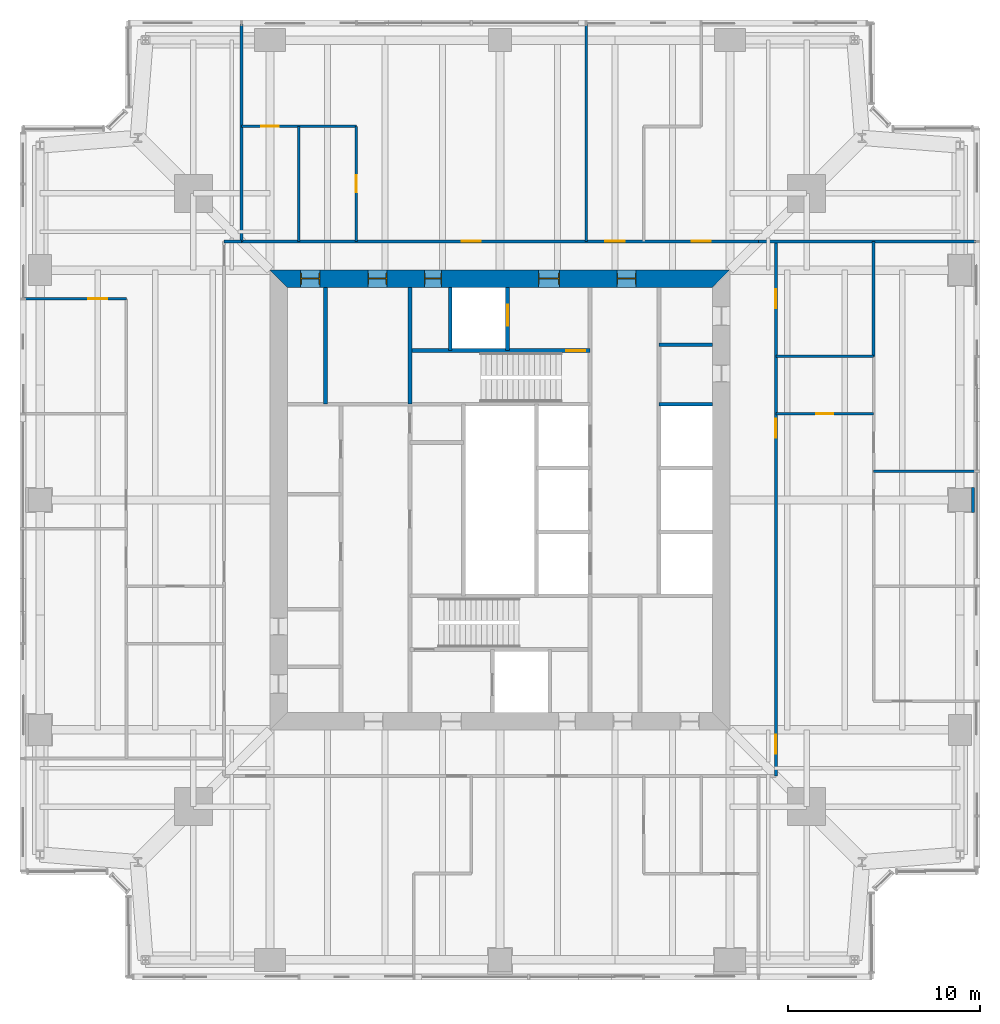
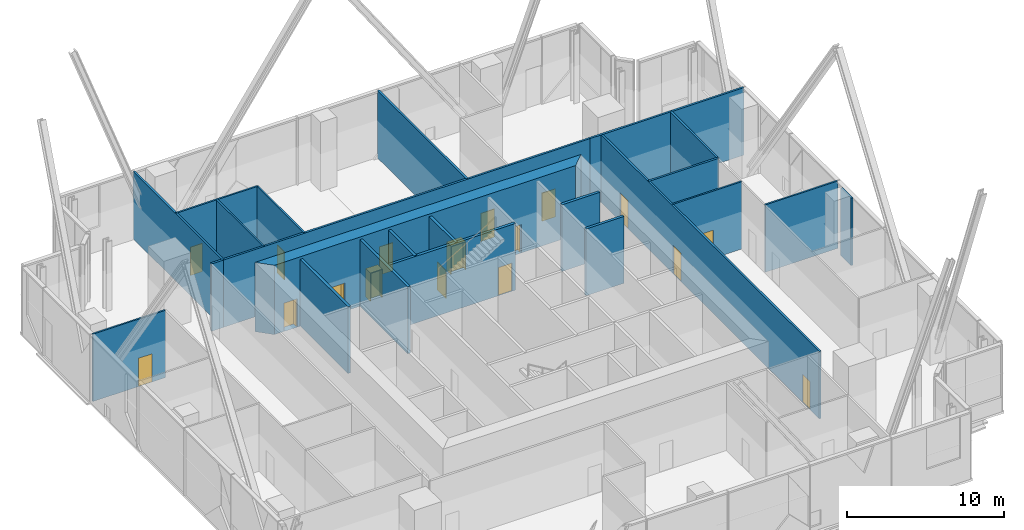
# One storey, part 11 of 14: 23 walls, 17 doors, 17 openings.
"""IFC4 building model written with IfcOpenShell, lengths in metres."""

from ifc_helpers import new_model, si_unit, direction, frame, frame_2d, origin, place, context, subcontext, project, spatial, polyline, rectangle, outline, extrude, material, layer, layer_set, type_object, element, fill, save


model = new_model("IFC4")

# Units and contexts
model_context = context("Model", 3, precision=1e-05, world=origin(), true_north=direction((0.0, 1.0)))
body_context = subcontext(model_context, "Body", "Model", "MODEL_VIEW")
ifc_project = project(units=[si_unit("LENGTHUNIT", "METRE"), si_unit("AREAUNIT", "SQUARE_METRE"), si_unit("VOLUMEUNIT", "CUBIC_METRE"), si_unit("PLANEANGLEUNIT", "RADIAN"), si_unit("MASSUNIT", "GRAM", prefix="KILO")], contexts=[model_context])

# Site, building, storey
site_placement = place(None, origin())
site = spatial("IfcSite", under=ifc_project, at=site_placement, CompositionType="ELEMENT")
building_placement = place(site_placement, origin())
building = spatial("IfcBuilding", under=site, at=building_placement, Name="Fenwick Lantern Interchange", CompositionType="ELEMENT")
storey_placement = place(building_placement, frame((0.0, 0.0, 168.39990234375)))
storey = spatial("IfcBuildingStorey", under=building, at=storey_placement, Name="L39", CompositionType="ELEMENT", Elevation=168.39990234375)

# Walls
ifc_material_1 = material(Name="Fire-rated gypsum board encasement on steel studs, 2 hour", Category="steel")
ifc_layer_1 = layer(ifc_material_1, 1.300048828125)
ifc_layer_set_1 = layer_set([ifc_layer_1], Name="COLUMN PIER 1300")
wall_type_1 = type_object("IfcWallType", Name="COLUMN PIER 1300", PredefinedType="PARTITIONING", material=ifc_layer_set_1)
wall_1_placement = place(storey_placement, frame((49.75, 25.0, 0.0), z_axis=(0.0, 0.0, 1.0), x_axis=(-1.0, 0.0, 0.0)))
element("IfcWall", 1, at=wall_1_placement, inside=storey, type_object=wall_type_1, Name="L39/W/PIER/CE3", PredefinedType="PARTITIONING", context=body_context, shape_type="SweptSolid", body=[
    extrude(rectangle(XDim=0.14990234375, YDim=1.300048828125, at=frame_2d((0.074951171875, 0.0))), origin(), (0.0, 0.0, 1.0), 5.25),
])
ifc_material_2 = material(Name="Concrete masonry ASTM C90 Grade N", Category="masonry")
ifc_layer_2 = layer(ifc_material_2, 0.199951171875)
ifc_layer_set_2 = layer_set([ifc_layer_2], Name="Concrete masonry ASTM C90 Grade N")
wall_type_2 = type_object("IfcWallType", Name="CORE PARTITION 200", PredefinedType="PARTITIONING", material=ifc_layer_set_2)
wall_2_placement = place(storey_placement, frame((36.10009765625, 30.0, 0.0), z_axis=(0.0, 0.0, 1.0), x_axis=(-1.0, 0.0, 0.0)))
element("IfcWall", 2, at=wall_2_placement, inside=storey, type_object=wall_type_2, Name="L39/W/COREN/c2", PredefinedType="PARTITIONING", context=body_context, shape_type="SweptSolid", body=[
    extrude(rectangle(XDim=2.800048828125, YDim=0.199951171875, at=frame_2d((1.39990234375, 0.0))), origin(), (0.0, 0.0, 1.0), 5.2001953125),
])

# Wall, opening, door
wall_3_placement = place(storey_placement, frame((25.39990234375, 36.10009765625, 0.0), z_axis=(0.0, 0.0, 1.0), x_axis=(0.0, -1.0, 0.0)))
wall_3 = element("IfcWall", 3, at=wall_3_placement, inside=storey, type_object=wall_type_2, Name="L39/W/COREN/h1", PredefinedType="PARTITIONING", context=body_context, shape_type="SweptSolid", body=[
    extrude(rectangle(XDim=3.300048828125, YDim=0.199951171875, at=frame_2d((1.64990234375, 0.0))), origin(), (0.0, 0.0, 1.0), 5.2001953125),
])
opening_1_placement = place(wall_3_placement, frame((0.89990234375, 0.0, 0.0)))
opening_1 = element("IfcOpeningElement", 4, at=opening_1_placement, cuts=wall_3, Name="Opening LD-FL2", PredefinedType="OPENING", context=body_context, shape_type="SweptSolid", body=[
    extrude(rectangle(XDim=1.10009765625, YDim=2.199951171875, at=frame_2d((0.550048828125, 1.10009765625))), frame((0.0, 0.10986328125, 0.0), z_axis=(0.0, -1.0, 0.0), x_axis=(1.0, 0.0, 0.0)), (0.0, 0.0, 1.0), 0.219970703125),
])
ifc_material_3 = material(Name="Steel door and frame", Category="steel")
door_type_1 = type_object("IfcDoorType", Name="LIFT LANDING DOOR 1100 X 2200", OperationType="DOUBLE_DOOR_SLIDING", PredefinedType="DOOR", material=ifc_material_3)
door_1_placement = place(opening_1_placement, origin())
door_1 = element("IfcDoor", 5, at=door_1_placement, inside=storey, type_object=door_type_1, Name="Lift landing door FL2", OperationType="DOUBLE_DOOR_SLIDING", OverallHeight=2.199951171875, OverallWidth=1.10009765625, PredefinedType="DOOR", context=body_context, shape_type="SweptSolid", body=[
    extrude(rectangle(XDim=1.10009765625, YDim=2.199951171875, at=frame_2d((0.550048828125, 1.10009765625))), frame((0.0, 0.02490234375, 0.0), z_axis=(0.0, -1.0, 0.0), x_axis=(1.0, 0.0, 0.0)), (0.0, 0.0, 1.0), 0.050048828125),
])
fill(opening_1, door_1)

# Walls
wall_4_placement = place(storey_placement, frame((22.39990234375, 36.10009765625, 0.0), z_axis=(0.0, 0.0, 1.0), x_axis=(0.0, -1.0, 0.0)))
element("IfcWall", 6, at=wall_4_placement, inside=storey, type_object=wall_type_2, Name="L39/W/COREN/h2", PredefinedType="PARTITIONING", context=body_context, shape_type="SweptSolid", body=[
    extrude(rectangle(XDim=3.300048828125, YDim=0.199951171875, at=frame_2d((1.64990234375, 0.0))), origin(), (0.0, 0.0, 1.0), 5.2001953125),
])
wall_5_placement = place(storey_placement, frame((15.89990234375, 36.10009765625, 0.0), z_axis=(0.0, 0.0, 1.0), x_axis=(0.0, -1.0, 0.0)))
element("IfcWall", 7, at=wall_5_placement, inside=storey, type_object=wall_type_2, Name="L39/W/COREN/i2", PredefinedType="PARTITIONING", context=body_context, shape_type="SweptSolid", body=[
    extrude(rectangle(XDim=6.10009765625, YDim=0.199951171875, at=frame_2d((3.050048828125, 0.0))), origin(), (0.0, 0.0, 1.0), 5.2001953125),
])
wall_6_placement = place(storey_placement, frame((36.10009765625, 33.10009765625, 0.0), z_axis=(0.0, 0.0, 1.0), x_axis=(-1.0, 0.0, 0.0)))
element("IfcWall", 8, at=wall_6_placement, inside=storey, type_object=wall_type_2, Name="L39/W/COREN/p1", PredefinedType="PARTITIONING", context=body_context, shape_type="SweptSolid", body=[
    extrude(rectangle(XDim=2.800048828125, YDim=0.199951171875, at=frame_2d((1.39990234375, 0.0))), origin(), (0.0, 0.0, 1.0), 5.2001953125),
])

# Wall, openings, doors
ifc_material_4 = material(Name="Concrete f'c 70 MPa", Category="concrete")
ifc_layer_3 = layer(ifc_material_4, 0.89990234375)
ifc_layer_set_3 = layer_set([ifc_layer_3], Name="CORE WALL 900")
wall_type_3 = type_object("IfcWallType", Name="CORE WALL 900", PredefinedType="SHEAR", material=ifc_layer_set_3)
wall_7_placement = place(storey_placement, frame((37.0, 36.550048828125, 0.0), z_axis=(0.0, 0.0, 1.0), x_axis=(-1.0, 0.0, 0.0)))
wall_7 = element("IfcWall", 9, at=wall_7_placement, inside=storey, type_object=wall_type_3, Name="L39/CORE/N", PredefinedType="SHEAR", context=body_context, shape_type="SweptSolid", body=[
    extrude(outline(polyline([(0.0, -0.449951171875), (24.0, -0.449951171875), (23.10009765625, 0.449951171875), (0.89990234375, 0.449951171875), (0.0, -0.449951171875)])), origin(), (0.0, 0.0, 1.0), 5.400146484375),
])
opening_2_placement = place(wall_7_placement, frame((4.89990234375, 0.0, 0.0)))
opening_2 = element("IfcOpeningElement", 10, at=opening_2_placement, cuts=wall_7, Name="Opening L39-D013", PredefinedType="OPENING", context=body_context, shape_type="SweptSolid", body=[
    extrude(rectangle(XDim=1.0, YDim=2.199951171875, at=frame_2d((0.5, 1.10009765625))), frame((0.0, 0.4599609375, 0.0), z_axis=(0.0, -1.0, 0.0), x_axis=(1.0, 0.0, 0.0)), (0.0, 0.0, 1.0), 0.919921875),
])
opening_3_placement = place(wall_7_placement, frame((8.89990234375, 0.0, 0.0)))
opening_3 = element("IfcOpeningElement", 11, at=opening_3_placement, cuts=wall_7, Name="Opening L39-D014", PredefinedType="OPENING", context=body_context, shape_type="SweptSolid", body=[
    extrude(rectangle(XDim=1.10009765625, YDim=2.199951171875, at=frame_2d((0.550048828125, 1.10009765625))), frame((0.0, 0.4599609375, 0.0), z_axis=(0.0, -1.0, 0.0), x_axis=(1.0, 0.0, 0.0)), (0.0, 0.0, 1.0), 0.919921875),
])
opening_4_placement = place(wall_7_placement, frame((15.050048828125, 0.0, 0.0)))
opening_4 = element("IfcOpeningElement", 12, at=opening_4_placement, cuts=wall_7, Name="Opening L39-D016", PredefinedType="OPENING", context=body_context, shape_type="SweptSolid", body=[
    extrude(rectangle(XDim=0.89990234375, YDim=2.199951171875, at=frame_2d((0.449951171875, 1.10009765625))), frame((0.0, 0.4599609375, 0.0), z_axis=(0.0, -1.0, 0.0), x_axis=(1.0, 0.0, 0.0)), (0.0, 0.0, 1.0), 0.919921875),
])
opening_5_placement = place(wall_7_placement, frame((17.89990234375, 0.0, 0.0)))
opening_5 = element("IfcOpeningElement", 13, at=opening_5_placement, cuts=wall_7, Name="Opening L39-D017", PredefinedType="OPENING", context=body_context, shape_type="SweptSolid", body=[
    extrude(rectangle(XDim=1.0, YDim=2.199951171875, at=frame_2d((0.5, 1.10009765625))), frame((0.0, 0.4599609375, 0.0), z_axis=(0.0, -1.0, 0.0), x_axis=(1.0, 0.0, 0.0)), (0.0, 0.0, 1.0), 0.919921875),
])
opening_6_placement = place(wall_7_placement, frame((21.39990234375, 0.0, 0.0)))
opening_6 = element("IfcOpeningElement", 14, at=opening_6_placement, cuts=wall_7, Name="Opening L39-D018", PredefinedType="OPENING", context=body_context, shape_type="SweptSolid", body=[
    extrude(rectangle(XDim=1.0, YDim=2.199951171875, at=frame_2d((0.5, 1.10009765625))), frame((0.0, 0.4599609375, 0.0), z_axis=(0.0, -1.0, 0.0), x_axis=(1.0, 0.0, 0.0)), (0.0, 0.0, 1.0), 0.919921875),
])
door_type_2 = type_object("IfcDoorType", Name="CORE LOBBY DOOR 1000 X 2200", OperationType="SINGLE_SWING_LEFT", PredefinedType="DOOR", material=ifc_material_3)
door_2_placement = place(opening_2_placement, origin())
door_2 = element("IfcDoor", 15, at=door_2_placement, inside=storey, type_object=door_type_2, Name="Core lobby door", OperationType="SINGLE_SWING_LEFT", OverallHeight=2.199951171875, OverallWidth=1.0, PredefinedType="DOOR", context=body_context, shape_type="SweptSolid", body=[
    extrude(rectangle(XDim=1.0, YDim=2.199951171875, at=frame_2d((0.5, 1.10009765625))), frame((0.0, 0.02490234375, 0.0), z_axis=(0.0, -1.0, 0.0), x_axis=(1.0, 0.0, 0.0)), (0.0, 0.0, 1.0), 0.050048828125),
    extrude(outline(polyline([(0.0, 0.0), (0.0400390625, 0.0), (0.0400390625, 2.159912109375), (0.9599609375, 2.159912109375), (0.9599609375, 0.0), (1.0, 0.0), (1.0, 2.199951171875), (0.0, 2.199951171875), (0.0, 0.0)])), frame((0.0, 0.300048828125, 0.0), z_axis=(0.0, -1.0, 0.0), x_axis=(1.0, 0.0, 0.0)), (0.0, 0.0, 1.0), 0.60009765625),
])
fill(opening_2, door_2)
door_type_3 = type_object("IfcDoorType", Name="FIRE LOBBY DOOR 1100 X 2200", OperationType="SINGLE_SWING_LEFT", PredefinedType="DOOR", material=ifc_material_3)
door_3_placement = place(opening_3_placement, origin())
door_3 = element("IfcDoor", 16, at=door_3_placement, inside=storey, type_object=door_type_3, Name="Fire lobby door", OperationType="SINGLE_SWING_LEFT", OverallHeight=2.199951171875, OverallWidth=1.10009765625, PredefinedType="DOOR", context=body_context, shape_type="SweptSolid", body=[
    extrude(rectangle(XDim=1.10009765625, YDim=2.199951171875, at=frame_2d((0.550048828125, 1.10009765625))), frame((0.0, 0.02490234375, 0.0), z_axis=(0.0, -1.0, 0.0), x_axis=(1.0, 0.0, 0.0)), (0.0, 0.0, 1.0), 0.050048828125),
    extrude(outline(polyline([(0.0, 0.0), (0.0400390625, 0.0), (0.0400390625, 2.159912109375), (1.06005859375, 2.159912109375), (1.06005859375, 0.0), (1.10009765625, 0.0), (1.10009765625, 2.199951171875), (0.0, 2.199951171875), (0.0, 0.0)])), frame((0.0, 0.300048828125, 0.0), z_axis=(0.0, -1.0, 0.0), x_axis=(1.0, 0.0, 0.0)), (0.0, 0.0, 1.0), 0.60009765625),
])
fill(opening_3, door_3)
door_type_4 = type_object("IfcDoorType", Name="SERVICE DOOR 900 X 2200", OperationType="SINGLE_SWING_LEFT", PredefinedType="DOOR", material=ifc_material_3)
door_4_placement = place(opening_4_placement, origin())
door_4 = element("IfcDoor", 17, at=door_4_placement, inside=storey, type_object=door_type_4, Name="Service door", OperationType="SINGLE_SWING_LEFT", OverallHeight=2.199951171875, OverallWidth=0.89990234375, PredefinedType="DOOR", context=body_context, shape_type="SweptSolid", body=[
    extrude(rectangle(XDim=0.89990234375, YDim=2.199951171875, at=frame_2d((0.449951171875, 1.10009765625))), frame((0.0, 0.02490234375, 0.0), z_axis=(0.0, -1.0, 0.0), x_axis=(1.0, 0.0, 0.0)), (0.0, 0.0, 1.0), 0.050048828125),
    extrude(outline(polyline([(0.0, 0.0), (0.0400390625, 0.0), (0.0400390625, 2.159912109375), (0.85986328125, 2.159912109375), (0.85986328125, 0.0), (0.89990234375, 0.0), (0.89990234375, 2.199951171875), (0.0, 2.199951171875), (0.0, 0.0)])), frame((0.0, 0.300048828125, 0.0), z_axis=(0.0, -1.0, 0.0), x_axis=(1.0, 0.0, 0.0)), (0.0, 0.0, 1.0), 0.60009765625),
])
fill(opening_4, door_4)
ifc_material_5 = material(Name="Hardwood door and steel frame", Category="steel")
door_type_5 = type_object("IfcDoorType", Name="WC DOOR 1000 X 2200", OperationType="SINGLE_SWING_LEFT", PredefinedType="DOOR", material=ifc_material_5)
door_5_placement = place(opening_5_placement, origin())
door_5 = element("IfcDoor", 18, at=door_5_placement, inside=storey, type_object=door_type_5, Name="Wc door", OperationType="SINGLE_SWING_LEFT", OverallHeight=2.199951171875, OverallWidth=1.0, PredefinedType="DOOR", context=body_context, shape_type="SweptSolid", body=[
    extrude(rectangle(XDim=1.0, YDim=2.199951171875, at=frame_2d((0.5, 1.10009765625))), frame((0.0, 0.02490234375, 0.0), z_axis=(0.0, -1.0, 0.0), x_axis=(1.0, 0.0, 0.0)), (0.0, 0.0, 1.0), 0.050048828125),
    extrude(outline(polyline([(0.0, 0.0), (0.0400390625, 0.0), (0.0400390625, 2.159912109375), (0.9599609375, 2.159912109375), (0.9599609375, 0.0), (1.0, 0.0), (1.0, 2.199951171875), (0.0, 2.199951171875), (0.0, 0.0)])), frame((0.0, 0.300048828125, 0.0), z_axis=(0.0, -1.0, 0.0), x_axis=(1.0, 0.0, 0.0)), (0.0, 0.0, 1.0), 0.60009765625),
])
fill(opening_5, door_5)
door_6_placement = place(opening_6_placement, origin())
door_6 = element("IfcDoor", 19, at=door_6_placement, inside=storey, type_object=door_type_5, Name="Wc door", OperationType="SINGLE_SWING_LEFT", OverallHeight=2.199951171875, OverallWidth=1.0, PredefinedType="DOOR", context=body_context, shape_type="SweptSolid", body=[
    extrude(rectangle(XDim=1.0, YDim=2.199951171875, at=frame_2d((0.5, 1.10009765625))), frame((0.0, 0.02490234375, 0.0), z_axis=(0.0, -1.0, 0.0), x_axis=(1.0, 0.0, 0.0)), (0.0, 0.0, 1.0), 0.050048828125),
    extrude(outline(polyline([(0.0, 0.0), (0.0400390625, 0.0), (0.0400390625, 2.159912109375), (0.9599609375, 2.159912109375), (0.9599609375, 0.0), (1.0, 0.0), (1.0, 2.199951171875), (0.0, 2.199951171875), (0.0, 0.0)])), frame((0.0, 0.300048828125, 0.0), z_axis=(0.0, -1.0, 0.0), x_axis=(1.0, 0.0, 0.0)), (0.0, 0.0, 1.0), 0.60009765625),
])
fill(opening_6, door_6)

ifc_material_6 = material(Name="Gypsum board on steel studs, 1 hour", Category="steel")
ifc_layer_4 = layer(ifc_material_6, 0.14990234375)
ifc_layer_set_4 = layer_set([ifc_layer_4], Name="CORRIDOR WALL 150")
wall_type_4 = type_object("IfcWallType", Name="CORRIDOR WALL 150", PredefinedType="PARTITIONING", material=ifc_layer_set_4)
wall_8_placement = place(storey_placement, frame((39.39990234375, 10.60009765625, 0.0), z_axis=(0.0, 0.0, 1.0), x_axis=(0.0, 1.0, 0.0)))
wall_8 = element("IfcWall", 20, at=wall_8_placement, inside=storey, type_object=wall_type_4, Name="L39/W/OFF/E/CW2", PredefinedType="PARTITIONING", context=body_context, shape_type="SweptSolid", body=[
    extrude(rectangle(XDim=27.89990234375, YDim=0.14990234375, at=frame_2d((13.949951171875, 0.0))), origin(), (0.0, 0.0, 1.0), 5.25),
])
opening_7_placement = place(wall_8_placement, frame((1.14990234375, 0.0, 0.0)))
opening_7 = element("IfcOpeningElement", 21, at=opening_7_placement, cuts=wall_8, Name="Opening L39-D026", PredefinedType="OPENING", context=body_context, shape_type="SweptSolid", body=[
    extrude(rectangle(XDim=1.0, YDim=2.199951171875, at=frame_2d((0.5, 1.10009765625))), frame((0.0, 0.0849609375, 0.0), z_axis=(0.0, -1.0, 0.0), x_axis=(1.0, 0.0, 0.0)), (0.0, 0.0, 1.0), 0.169921875),
])
opening_8_placement = place(wall_8_placement, frame((17.64990234375, 0.0, 0.0)))
opening_8 = element("IfcOpeningElement", 22, at=opening_8_placement, cuts=wall_8, Name="Opening L39-D027", PredefinedType="OPENING", context=body_context, shape_type="SweptSolid", body=[
    extrude(rectangle(XDim=1.0, YDim=2.199951171875, at=frame_2d((0.5, 1.10009765625))), frame((0.0, 0.0849609375, 0.0), z_axis=(0.0, -1.0, 0.0), x_axis=(1.0, 0.0, 0.0)), (0.0, 0.0, 1.0), 0.169921875),
])
opening_9_placement = place(wall_8_placement, frame((24.39990234375, 0.0, 0.0)))
opening_9 = element("IfcOpeningElement", 23, at=opening_9_placement, cuts=wall_8, Name="Opening L39-D032", PredefinedType="OPENING", context=body_context, shape_type="SweptSolid", body=[
    extrude(rectangle(XDim=1.0, YDim=2.199951171875, at=frame_2d((0.5, 1.10009765625))), frame((0.0, 0.0849609375, 0.0), z_axis=(0.0, -1.0, 0.0), x_axis=(1.0, 0.0, 0.0)), (0.0, 0.0, 1.0), 0.169921875),
])
door_type_6 = type_object("IfcDoorType", Name="SUITE ENTRANCE DOOR 1000 X 2200", OperationType="SINGLE_SWING_LEFT", PredefinedType="DOOR", material=ifc_material_3)
door_7_placement = place(opening_7_placement, origin())
door_7 = element("IfcDoor", 24, at=door_7_placement, inside=storey, type_object=door_type_6, Name="Suite entrance door", OperationType="SINGLE_SWING_LEFT", OverallHeight=2.199951171875, OverallWidth=1.0, PredefinedType="DOOR", context=body_context, shape_type="SweptSolid", body=[
    extrude(rectangle(XDim=1.0, YDim=2.199951171875, at=frame_2d((0.5, 1.10009765625))), frame((0.0, 0.02490234375, 0.0), z_axis=(0.0, -1.0, 0.0), x_axis=(1.0, 0.0, 0.0)), (0.0, 0.0, 1.0), 0.050048828125),
])
fill(opening_7, door_7)
door_8_placement = place(opening_8_placement, origin())
door_8 = element("IfcDoor", 25, at=door_8_placement, inside=storey, type_object=door_type_6, Name="Suite entrance door", OperationType="SINGLE_SWING_RIGHT", OverallHeight=2.199951171875, OverallWidth=1.0, PredefinedType="DOOR", context=body_context, shape_type="SweptSolid", body=[
    extrude(rectangle(XDim=1.0, YDim=2.199951171875, at=frame_2d((0.5, 1.10009765625))), frame((0.0, 0.02490234375, 0.0), z_axis=(0.0, -1.0, 0.0), x_axis=(1.0, 0.0, 0.0)), (0.0, 0.0, 1.0), 0.050048828125),
])
fill(opening_8, door_8)
door_9_placement = place(opening_9_placement, frame((1.0, 0.0, 0.0), z_axis=(0.0, 0.0, 1.0), x_axis=(-1.0, 0.0, 0.0)))
door_9 = element("IfcDoor", 26, at=door_9_placement, inside=storey, type_object=door_type_6, Name="Suite entrance door", OperationType="SINGLE_SWING_RIGHT", OverallHeight=2.199951171875, OverallWidth=1.0, PredefinedType="DOOR", context=body_context, shape_type="SweptSolid", body=[
    extrude(rectangle(XDim=1.0, YDim=2.199951171875, at=frame_2d((0.5, 1.10009765625))), frame((0.0, 0.02490234375, 0.0), z_axis=(0.0, -1.0, 0.0), x_axis=(1.0, 0.0, 0.0)), (0.0, 0.0, 1.0), 0.050048828125),
])
fill(opening_9, door_9)

wall_9_placement = place(storey_placement, frame((38.5, 38.5, 0.0), z_axis=(0.0, 0.0, 1.0), x_axis=(-1.0, 0.0, 0.0)))
wall_9 = element("IfcWall", 27, at=wall_9_placement, inside=storey, type_object=wall_type_4, Name="L39/W/OFF/N/CW", PredefinedType="PARTITIONING", context=body_context, shape_type="SweptSolid", body=[
    extrude(rectangle(XDim=27.0, YDim=0.14990234375, at=frame_2d((13.5, 0.0))), origin(), (0.0, 0.0, 1.0), 5.25),
])
opening_10_placement = place(wall_9_placement, frame((2.5, 0.0, 0.0)))
opening_10 = element("IfcOpeningElement", 28, at=opening_10_placement, cuts=wall_9, Name="Opening L39-D033", PredefinedType="OPENING", context=body_context, shape_type="SweptSolid", body=[
    extrude(rectangle(XDim=1.0, YDim=2.199951171875, at=frame_2d((0.5, 1.10009765625))), frame((0.0, 0.0849609375, 0.0), z_axis=(0.0, -1.0, 0.0), x_axis=(1.0, 0.0, 0.0)), (0.0, 0.0, 1.0), 0.169921875),
])
opening_11_placement = place(wall_9_placement, frame((7.0, 0.0, 0.0)))
opening_11 = element("IfcOpeningElement", 29, at=opening_11_placement, cuts=wall_9, Name="Opening L39-D034", PredefinedType="OPENING", context=body_context, shape_type="SweptSolid", body=[
    extrude(rectangle(XDim=1.0, YDim=2.199951171875, at=frame_2d((0.5, 1.10009765625))), frame((0.0, 0.0849609375, 0.0), z_axis=(0.0, -1.0, 0.0), x_axis=(1.0, 0.0, 0.0)), (0.0, 0.0, 1.0), 0.169921875),
])
opening_12_placement = place(wall_9_placement, frame((14.5, 0.0, 0.0)))
opening_12 = element("IfcOpeningElement", 30, at=opening_12_placement, cuts=wall_9, Name="Opening L39-D035", PredefinedType="OPENING", context=body_context, shape_type="SweptSolid", body=[
    extrude(rectangle(XDim=1.0, YDim=2.199951171875, at=frame_2d((0.5, 1.10009765625))), frame((0.0, 0.0849609375, 0.0), z_axis=(0.0, -1.0, 0.0), x_axis=(1.0, 0.0, 0.0)), (0.0, 0.0, 1.0), 0.169921875),
])
door_10_placement = place(opening_10_placement, frame((1.0, 0.0, 0.0), z_axis=(0.0, 0.0, 1.0), x_axis=(-1.0, 0.0, 0.0)))
door_10 = element("IfcDoor", 31, at=door_10_placement, inside=storey, type_object=door_type_6, Name="Suite entrance door", OperationType="SINGLE_SWING_LEFT", OverallHeight=2.199951171875, OverallWidth=1.0, PredefinedType="DOOR", context=body_context, shape_type="SweptSolid", body=[
    extrude(rectangle(XDim=1.0, YDim=2.199951171875, at=frame_2d((0.5, 1.10009765625))), frame((0.0, 0.02490234375, 0.0), z_axis=(0.0, -1.0, 0.0), x_axis=(1.0, 0.0, 0.0)), (0.0, 0.0, 1.0), 0.050048828125),
])
fill(opening_10, door_10)
door_11_placement = place(opening_11_placement, frame((1.0, 0.0, 0.0), z_axis=(0.0, 0.0, 1.0), x_axis=(-1.0, 0.0, 0.0)))
door_11 = element("IfcDoor", 32, at=door_11_placement, inside=storey, type_object=door_type_6, Name="Suite entrance door", OperationType="SINGLE_SWING_RIGHT", OverallHeight=2.199951171875, OverallWidth=1.0, PredefinedType="DOOR", context=body_context, shape_type="SweptSolid", body=[
    extrude(rectangle(XDim=1.0, YDim=2.199951171875, at=frame_2d((0.5, 1.10009765625))), frame((0.0, 0.02490234375, 0.0), z_axis=(0.0, -1.0, 0.0), x_axis=(1.0, 0.0, 0.0)), (0.0, 0.0, 1.0), 0.050048828125),
])
fill(opening_11, door_11)
door_12_placement = place(opening_12_placement, frame((1.0, 0.0, 0.0), z_axis=(0.0, 0.0, 1.0), x_axis=(-1.0, 0.0, 0.0)))
door_12 = element("IfcDoor", 33, at=door_12_placement, inside=storey, type_object=door_type_6, Name="Suite entrance door", OperationType="SINGLE_SWING_RIGHT", OverallHeight=2.199951171875, OverallWidth=1.0, PredefinedType="DOOR", context=body_context, shape_type="SweptSolid", body=[
    extrude(rectangle(XDim=1.0, YDim=2.199951171875, at=frame_2d((0.5, 1.10009765625))), frame((0.0, 0.02490234375, 0.0), z_axis=(0.0, -1.0, 0.0), x_axis=(1.0, 0.0, 0.0)), (0.0, 0.0, 1.0), 0.050048828125),
])
fill(opening_12, door_12)

# Walls
wall_10_placement = place(storey_placement, frame((11.5, 38.5, 0.0), z_axis=(0.0, 0.0, 1.0), x_axis=(-1.0, 0.0, 0.0)))
element("IfcWall", 34, at=wall_10_placement, inside=storey, type_object=wall_type_4, Name="L39/W/OFF/W/CWJ", PredefinedType="PARTITIONING", context=body_context, shape_type="SweptSolid", body=[
    extrude(rectangle(XDim=0.89990234375, YDim=0.14990234375, at=frame_2d((0.449951171875, 0.0))), origin(), (0.0, 0.0, 1.0), 5.25),
])
ifc_material_7 = material(Name="Gypsum board on steel studs, acoustic", Category="steel")
ifc_layer_5 = layer(ifc_material_7, 0.125)
ifc_layer_set_5 = layer_set([ifc_layer_5], Name="OFFICE PARTITION 125")
wall_type_5 = type_object("IfcWallType", Name="OFFICE PARTITION 125", PredefinedType="PARTITIONING", material=ifc_layer_set_5)
wall_11_placement = place(storey_placement, frame((49.85009765625, 26.5, 0.0), z_axis=(0.0, 0.0, 1.0), x_axis=(-1.0, 0.0, 0.0)))
element("IfcWall", 35, at=wall_11_placement, inside=storey, type_object=wall_type_5, Name="L39/W/OFF/E/X265-1", PredefinedType="PARTITIONING", context=body_context, shape_type="SweptSolid", body=[
    extrude(rectangle(XDim=5.35009765625, YDim=0.125, at=frame_2d((2.675048828125, 0.0))), origin(), (0.0, 0.0, 1.0), 5.25),
])

# Wall, opening, door
wall_12_placement = place(storey_placement, frame((44.5, 29.5, 0.0), z_axis=(0.0, 0.0, 1.0), x_axis=(-1.0, 0.0, 0.0)))
wall_12 = element("IfcWall", 36, at=wall_12_placement, inside=storey, type_object=wall_type_5, Name="L39/W/OFF/E/X295-1", PredefinedType="PARTITIONING", context=body_context, shape_type="SweptSolid", body=[
    extrude(rectangle(XDim=5.10009765625, YDim=0.125, at=frame_2d((2.550048828125, 0.0))), origin(), (0.0, 0.0, 1.0), 5.25),
])
opening_13_placement = place(wall_12_placement, frame((2.10009765625, 0.0, 0.0)))
opening_13 = element("IfcOpeningElement", 37, at=opening_13_placement, cuts=wall_12, Name="Opening L39-D031", PredefinedType="OPENING", context=body_context, shape_type="SweptSolid", body=[
    extrude(rectangle(XDim=0.89990234375, YDim=2.199951171875, at=frame_2d((0.449951171875, 1.10009765625))), frame((0.0, 0.072509765625, 0.0), z_axis=(0.0, -1.0, 0.0), x_axis=(1.0, 0.0, 0.0)), (0.0, 0.0, 1.0), 0.14501953125),
])
door_type_7 = type_object("IfcDoorType", Name="OFFICE DOOR 900 X 2200", OperationType="SINGLE_SWING_LEFT", PredefinedType="DOOR", material=ifc_material_5)
door_13_placement = place(opening_13_placement, frame((0.89990234375, 0.0, 0.0), z_axis=(0.0, 0.0, 1.0), x_axis=(-1.0, 0.0, 0.0)))
door_13 = element("IfcDoor", 38, at=door_13_placement, inside=storey, type_object=door_type_7, Name="Office door", OperationType="SINGLE_SWING_RIGHT", OverallHeight=2.199951171875, OverallWidth=0.89990234375, PredefinedType="DOOR", context=body_context, shape_type="SweptSolid", body=[
    extrude(rectangle(XDim=0.89990234375, YDim=2.199951171875, at=frame_2d((0.449951171875, 1.10009765625))), frame((0.0, 0.02490234375, 0.0), z_axis=(0.0, -1.0, 0.0), x_axis=(1.0, 0.0, 0.0)), (0.0, 0.0, 1.0), 0.050048828125),
])
fill(opening_13, door_13)

wall_13_placement = place(storey_placement, frame((17.5, 44.5, 0.0), z_axis=(0.0, 0.0, 1.0), x_axis=(0.0, -1.0, 0.0)))
wall_13 = element("IfcWall", 39, at=wall_13_placement, inside=storey, type_object=wall_type_5, Name="L39/W/OFF/N/X325-1", PredefinedType="PARTITIONING", context=body_context, shape_type="SweptSolid", body=[
    extrude(rectangle(XDim=6.0, YDim=0.125, at=frame_2d((3.0, 0.0))), origin(), (0.0, 0.0, 1.0), 5.25),
])
opening_14_placement = place(wall_13_placement, frame((2.550048828125, 0.0, 0.0)))
opening_14 = element("IfcOpeningElement", 40, at=opening_14_placement, cuts=wall_13, Name="Opening L39-D036", PredefinedType="OPENING", context=body_context, shape_type="SweptSolid", body=[
    extrude(rectangle(XDim=0.89990234375, YDim=2.199951171875, at=frame_2d((0.449951171875, 1.10009765625))), frame((0.0, 0.072509765625, 0.0), z_axis=(0.0, -1.0, 0.0), x_axis=(1.0, 0.0, 0.0)), (0.0, 0.0, 1.0), 0.14501953125),
])
door_14_placement = place(opening_14_placement, frame((0.89990234375, 0.0, 0.0), z_axis=(0.0, 0.0, 1.0), x_axis=(-1.0, 0.0, 0.0)))
door_14 = element("IfcDoor", 41, at=door_14_placement, inside=storey, type_object=door_type_7, Name="Office door", OperationType="SINGLE_SWING_RIGHT", OverallHeight=2.199951171875, OverallWidth=0.89990234375, PredefinedType="DOOR", context=body_context, shape_type="SweptSolid", body=[
    extrude(rectangle(XDim=0.89990234375, YDim=2.199951171875, at=frame_2d((0.449951171875, 1.10009765625))), frame((0.0, 0.02490234375, 0.0), z_axis=(0.0, -1.0, 0.0), x_axis=(1.0, 0.0, 0.0)), (0.0, 0.0, 1.0), 0.050048828125),
])
fill(opening_14, door_14)

# Wall
wall_14_placement = place(storey_placement, frame((14.5, 44.5, 0.0), z_axis=(0.0, 0.0, 1.0), x_axis=(0.0, -1.0, 0.0)))
element("IfcWall", 42, at=wall_14_placement, inside=storey, type_object=wall_type_5, Name="L39/W/OFF/N/X355-1", PredefinedType="PARTITIONING", context=body_context, shape_type="SweptSolid", body=[
    extrude(rectangle(XDim=6.0, YDim=0.125, at=frame_2d((3.0, 0.0))), origin(), (0.0, 0.0, 1.0), 5.25),
])

# Wall, opening, door
wall_15_placement = place(storey_placement, frame((17.5, 44.5, 0.0), z_axis=(0.0, 0.0, 1.0), x_axis=(-1.0, 0.0, 0.0)))
wall_15 = element("IfcWall", 43, at=wall_15_placement, inside=storey, type_object=wall_type_5, Name="L39/W/OFF/N/Y55-2", PredefinedType="PARTITIONING", context=body_context, shape_type="SweptSolid", body=[
    extrude(rectangle(XDim=6.0, YDim=0.125, at=frame_2d((3.0, 0.0))), origin(), (0.0, 0.0, 1.0), 5.25),
])
opening_15_placement = place(wall_15_placement, frame((4.050048828125, 0.0, 0.0)))
opening_15 = element("IfcOpeningElement", 44, at=opening_15_placement, cuts=wall_15, Name="Opening L39-D037", PredefinedType="OPENING", context=body_context, shape_type="SweptSolid", body=[
    extrude(rectangle(XDim=0.89990234375, YDim=2.199951171875, at=frame_2d((0.449951171875, 1.10009765625))), frame((0.0, 0.072509765625, 0.0), z_axis=(0.0, -1.0, 0.0), x_axis=(1.0, 0.0, 0.0)), (0.0, 0.0, 1.0), 0.14501953125),
])
door_15_placement = place(opening_15_placement, origin())
door_15 = element("IfcDoor", 45, at=door_15_placement, inside=storey, type_object=door_type_7, Name="Office door", OperationType="SINGLE_SWING_LEFT", OverallHeight=2.199951171875, OverallWidth=0.89990234375, PredefinedType="DOOR", context=body_context, shape_type="SweptSolid", body=[
    extrude(rectangle(XDim=0.89990234375, YDim=2.199951171875, at=frame_2d((0.449951171875, 1.10009765625))), frame((0.0, 0.02490234375, 0.0), z_axis=(0.0, -1.0, 0.0), x_axis=(1.0, 0.0, 0.0)), (0.0, 0.0, 1.0), 0.050048828125),
])
fill(opening_15, door_15)

wall_16_placement = place(storey_placement, frame((0.14990234375, 35.5, 0.0), z_axis=(0.0, 0.0, 1.0), x_axis=(1.0, 0.0, 0.0)))
wall_16 = element("IfcWall", 46, at=wall_16_placement, inside=storey, type_object=wall_type_5, Name="L39/W/OFF/W/X145-1", PredefinedType="PARTITIONING", context=body_context, shape_type="SweptSolid", body=[
    extrude(rectangle(XDim=5.35009765625, YDim=0.125, at=frame_2d((2.675048828125, 0.0))), origin(), (0.0, 0.0, 1.0), 5.25),
])
opening_16_placement = place(wall_16_placement, frame((3.35009765625, 0.0, 0.0)))
opening_16 = element("IfcOpeningElement", 47, at=opening_16_placement, cuts=wall_16, Name="Opening L39-D040", PredefinedType="OPENING", context=body_context, shape_type="SweptSolid", body=[
    extrude(rectangle(XDim=1.0, YDim=2.199951171875, at=frame_2d((0.5, 1.10009765625))), frame((0.0, 0.072509765625, 0.0), z_axis=(0.0, -1.0, 0.0), x_axis=(1.0, 0.0, 0.0)), (0.0, 0.0, 1.0), 0.14501953125),
])
door_type_8 = type_object("IfcDoorType", Name="MEETING ROOM DOOR 1000 X 2200", OperationType="SINGLE_SWING_LEFT", PredefinedType="DOOR", material=ifc_material_5)
door_16_placement = place(opening_16_placement, frame((1.0, 0.0, 0.0), z_axis=(0.0, 0.0, 1.0), x_axis=(-1.0, 0.0, 0.0)))
door_16 = element("IfcDoor", 48, at=door_16_placement, inside=storey, type_object=door_type_8, Name="Meeting room door", OperationType="SINGLE_SWING_LEFT", OverallHeight=2.199951171875, OverallWidth=1.0, PredefinedType="DOOR", context=body_context, shape_type="SweptSolid", body=[
    extrude(rectangle(XDim=1.0, YDim=2.199951171875, at=frame_2d((0.5, 1.10009765625))), frame((0.0, 0.02490234375, 0.0), z_axis=(0.0, -1.0, 0.0), x_axis=(1.0, 0.0, 0.0)), (0.0, 0.0, 1.0), 0.050048828125),
])
fill(opening_16, door_16)

ifc_material_8 = material(Name="Concrete f'c 45 MPa", Category="concrete")
ifc_layer_6 = layer(ifc_material_8, 0.199951171875)
ifc_layer_set_6 = layer_set([ifc_layer_6], Name="STAIR CORE WALL 200")
wall_type_6 = type_object("IfcWallType", Name="STAIR CORE WALL 200", PredefinedType="SOLIDWALL", material=ifc_layer_set_6)
wall_17_placement = place(storey_placement, frame((29.699951171875, 32.800048828125, 0.0), z_axis=(0.0, 0.0, 1.0), x_axis=(-1.0, 0.0, 0.0)))
wall_17 = element("IfcWall", 49, at=wall_17_placement, inside=storey, type_object=wall_type_6, Name="L39/W/COREN/g1", PredefinedType="SOLIDWALL", context=body_context, shape_type="SweptSolid", body=[
    extrude(rectangle(XDim=9.39990234375, YDim=0.199951171875, at=frame_2d((4.699951171875, 0.0))), origin(), (0.0, 0.0, 1.0), 5.2001953125),
])
opening_17_placement = place(wall_17_placement, frame((0.25, 0.0, 0.0)))
opening_17 = element("IfcOpeningElement", 50, at=opening_17_placement, cuts=wall_17, Name="Opening L39-D015", PredefinedType="OPENING", context=body_context, shape_type="SweptSolid", body=[
    extrude(rectangle(XDim=1.0, YDim=2.199951171875, at=frame_2d((0.5, 1.10009765625))), frame((0.0, 0.10986328125, 0.0), z_axis=(0.0, -1.0, 0.0), x_axis=(1.0, 0.0, 0.0)), (0.0, 0.0, 1.0), 0.219970703125),
])
door_type_9 = type_object("IfcDoorType", Name="STAIR DOOR 1000 X 2200", OperationType="SINGLE_SWING_LEFT", PredefinedType="DOOR", material=ifc_material_3)
door_17_placement = place(opening_17_placement, origin())
door_17 = element("IfcDoor", 51, at=door_17_placement, inside=storey, type_object=door_type_9, Name="Stair door", OperationType="SINGLE_SWING_LEFT", OverallHeight=2.199951171875, OverallWidth=1.0, PredefinedType="DOOR", context=body_context, shape_type="SweptSolid", body=[
    extrude(rectangle(XDim=1.0, YDim=2.199951171875, at=frame_2d((0.5, 1.10009765625))), frame((0.0, 0.02490234375, 0.0), z_axis=(0.0, -1.0, 0.0), x_axis=(1.0, 0.0, 0.0)), (0.0, 0.0, 1.0), 0.050048828125),
])
fill(opening_17, door_17)

# Walls
wall_18_placement = place(storey_placement, frame((20.300048828125, 36.10009765625, 0.0), z_axis=(0.0, 0.0, 1.0), x_axis=(0.0, -1.0, 0.0)))
element("IfcWall", 52, at=wall_18_placement, inside=storey, type_object=wall_type_6, Name="L39/W/COREN/i1", PredefinedType="SOLIDWALL", context=body_context, shape_type="SweptSolid", body=[
    extrude(rectangle(XDim=6.10009765625, YDim=0.199951171875, at=frame_2d((3.050048828125, 0.0))), origin(), (0.0, 0.0, 1.0), 5.2001953125),
])
ifc_material_9 = material(Name="Gypsum board on steel studs, 1 hour acoustic", Category="steel")
ifc_layer_7 = layer(ifc_material_9, 0.14990234375)
ifc_layer_set_7 = layer_set([ifc_layer_7], Name="TENANT WALL 150")
wall_type_7 = type_object("IfcWallType", Name="TENANT WALL 150", PredefinedType="PARTITIONING", material=ifc_layer_set_7)
wall_19_placement = place(storey_placement, frame((44.5, 32.5, 0.0), z_axis=(0.0, 0.0, 1.0), x_axis=(-1.0, 0.0, 0.0)))
element("IfcWall", 53, at=wall_19_placement, inside=storey, type_object=wall_type_7, Name="L39/W/OFF/E/X325-1", PredefinedType="PARTITIONING", context=body_context, shape_type="SweptSolid", body=[
    extrude(rectangle(XDim=5.10009765625, YDim=0.14990234375, at=frame_2d((2.550048828125, 0.0))), origin(), (0.0, 0.0, 1.0), 5.25),
])
wall_20_placement = place(storey_placement, frame((44.5, 32.5, 0.0), z_axis=(0.0, 0.0, 1.0), x_axis=(0.0, 1.0, 0.0)))
element("IfcWall", 54, at=wall_20_placement, inside=storey, type_object=wall_type_7, Name="L39/W/OFF/E/Y55-2", PredefinedType="PARTITIONING", context=body_context, shape_type="SweptSolid", body=[
    extrude(rectangle(XDim=6.0, YDim=0.14990234375, at=frame_2d((3.0, 0.0))), origin(), (0.0, 0.0, 1.0), 5.25),
])
for number, where, z_axis, x_axis, name in (
    (55, (49.85009765625, 38.5, 0.0), (0.0, 0.0, 1.0), (-1.0, 0.0, 0.0), "L39/W/OFF/N/BACK"),
    (56, (29.5, 49.85009765625, 0.0), (0.0, 0.0, 1.0), (0.0, -1.0, 0.0), "L39/W/OFF/N/X205-1"),
    (57, (11.5, 49.85009765625, 0.0), (0.0, 0.0, 1.0), (0.0, -1.0, 0.0), "L39/W/OFF/W/BACK"),
):
    element("IfcWall", number, at=place(storey_placement, frame(where, z_axis=z_axis, x_axis=x_axis)), inside=storey, type_object=wall_type_7, Name=name, PredefinedType="PARTITIONING", context=body_context, shape_type="SweptSolid", body=[
        extrude(rectangle(XDim=11.35009765625, YDim=0.14990234375, at=frame_2d((5.675048828125, 0.0))), origin(), (0.0, 0.0, 1.0), 5.25),
    ])

save(model, "model.ifc")
